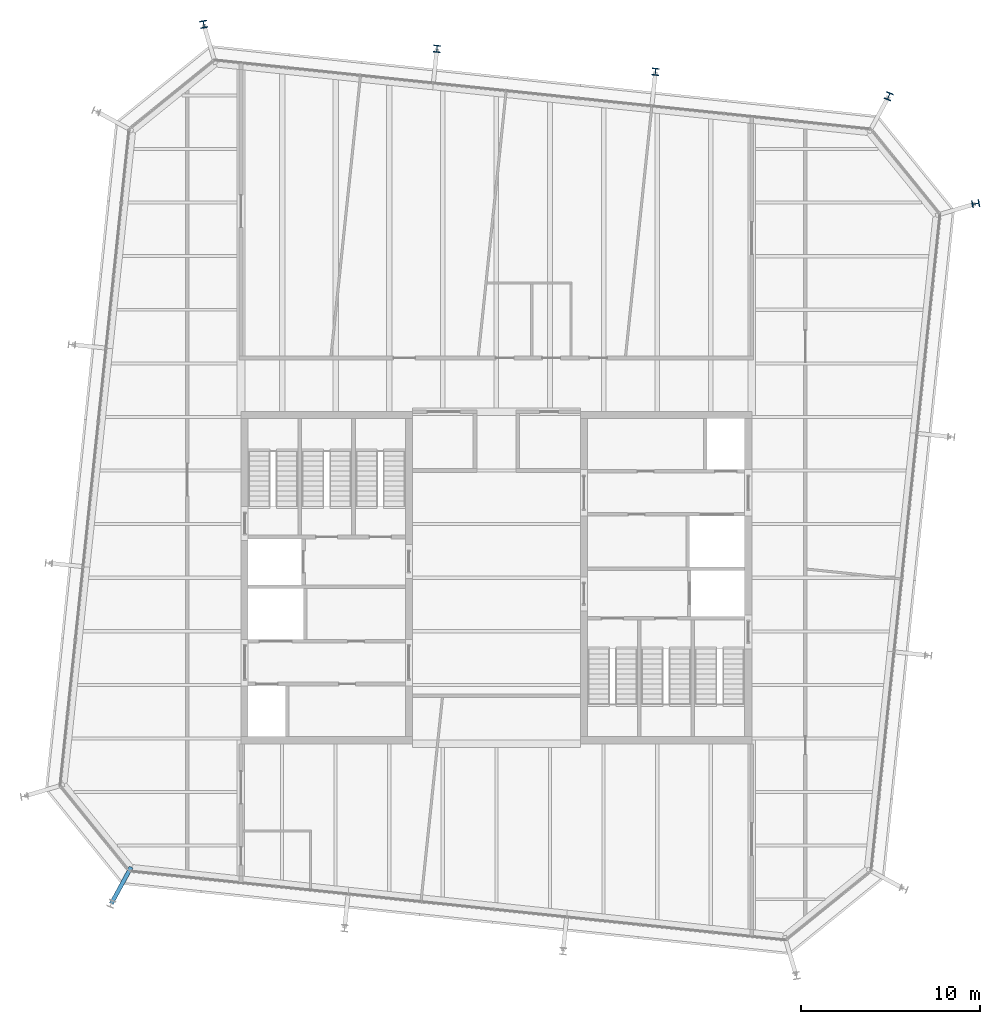
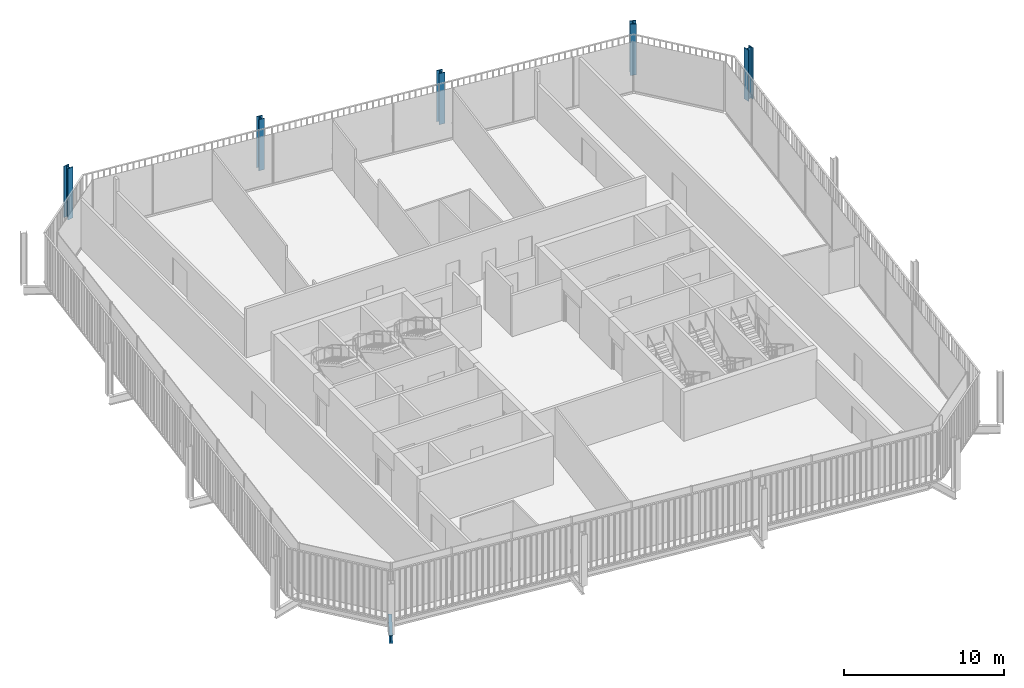
# One storey, part 2 of 20: 5 columns, 1 beam.
"""IFC4 building model written with IfcOpenShell, lengths in metres."""

from ifc_helpers import new_model, si_unit, direction, frame, origin, origin_2d, place, context, subcontext, project, spatial, i_section, extrude, material, material_profile, profile_set, type_object, element, save


model = new_model("IFC4")

# Units and contexts
model_context = context("Model", 3, precision=1e-05, world=origin(), true_north=direction((0.0, 1.0)))
body_context = subcontext(model_context, "Body", "Model", "MODEL_VIEW")
ifc_project = project(units=[si_unit("LENGTHUNIT", "METRE"), si_unit("AREAUNIT", "SQUARE_METRE"), si_unit("VOLUMEUNIT", "CUBIC_METRE"), si_unit("PLANEANGLEUNIT", "RADIAN"), si_unit("MASSUNIT", "GRAM", prefix="KILO")], contexts=[model_context])

# Site, building, storey
site_placement = place(None, origin())
site = spatial("IfcSite", under=ifc_project, at=site_placement, CompositionType="ELEMENT")
building_placement = place(site_placement, origin())
building = spatial("IfcBuilding", under=site, at=building_placement, Name="Millrace Tower", CompositionType="ELEMENT")
storey_placement = place(building_placement, frame((0.0, 0.0, 279.89990234375)))
storey = spatial("IfcBuildingStorey", under=building, at=storey_placement, Name="L64", CompositionType="ELEMENT", Elevation=279.89990234375)

# Columns
ifc_material_1 = material(Name="Steel ASTM A913 Grade 65", Category="steel")
ifc_material_profile_1 = material_profile(ifc_material_1, i_section(OverallWidth=0.4013671875, OverallDepth=0.398681640625, WebThickness=0.02490234375, FlangeThickness=0.03955078125, FilletRadius=0.01513671875, at=origin_2d()))
ifc_profile_set_1 = profile_set([ifc_material_profile_1], Name="Steel ASTM A913 Grade 65")
column_type_1 = type_object("IfcColumnType", Name="Exoskeleton column W14x211", PredefinedType="COLUMN", material=ifc_profile_set_1)
for number, where, z_axis, x_axis, name in (
    (1, (8.9033203125, 28.321533203125, 0.0), (0.0, 0.0, 1.0), (-0.994521897246, 0.104528445407, 0.0), "COL-E-L64-X11"),
    (2, (-3.329345703125, 29.607177734375, 0.0), (0.0, 0.0, 1.0), (-0.994521897246, 0.104528445407, 0.0), "COL-E-L64-X12"),
):
    element("IfcColumn", number, at=place(storey_placement, frame(where, z_axis=z_axis, x_axis=x_axis)), inside=storey, type_object=column_type_1, Name=name, PredefinedType="COLUMN", context=body_context, shape_type="SweptSolid", body=[
        extrude(i_section(OverallWidth=0.4013671875, OverallDepth=0.398681640625, WebThickness=0.02490234375, FlangeThickness=0.03955078125, FilletRadius=0.01513671875, at=origin_2d()), origin(), (0.0, 0.0, 1.0), 3.900146484375),
    ])
ifc_material_2 = material(Name="Steel ASTM A913 Grade 65", Category="steel")
ifc_material_profile_2 = material_profile(ifc_material_2, i_section(OverallWidth=0.406494140625, OverallDepth=0.41650390625, WebThickness=0.030029296875, FlangeThickness=0.048095703125, FilletRadius=0.01513671875, at=origin_2d()))
ifc_profile_set_2 = profile_set([ifc_material_profile_2], Name="Steel ASTM A913 Grade 65")
column_type_2 = type_object("IfcColumnType", Name="Exoskeleton column W14x257", PredefinedType="COLUMN", material=ifc_profile_set_2)
for number, where, z_axis, x_axis, name in (
    (3, (26.82958984375, 20.935791015625, 0.0), (0.0, 0.0, 1.0), (-0.18038747256, 0.983595628164, 0.0), "COL-E-L64-X09"),
    (4, (21.9599609375, 26.94921875, 0.0), (0.0, 0.0, 1.0), (-0.92459700658, 0.380946683176, 0.0), "COL-E-L64-X10"),
    (5, (-16.3857421875, 30.9794921875, 0.0), (0.0, 0.0, 1.0), (-0.983595628164, -0.18038747256, 0.0), "COL-E-L64-X13"),
):
    element("IfcColumn", number, at=place(storey_placement, frame(where, z_axis=z_axis, x_axis=x_axis)), inside=storey, type_object=column_type_2, Name=name, PredefinedType="COLUMN", context=body_context, shape_type="SweptSolid", body=[
        extrude(i_section(OverallWidth=0.406494140625, OverallDepth=0.41650390625, WebThickness=0.030029296875, FlangeThickness=0.048095703125, FilletRadius=0.01513671875, at=origin_2d()), origin(), (0.0, 0.0, 1.0), 3.900146484375),
    ])

# Beam
ifc_material_3 = material(Name="Steel ASTM A992 Grade 50", Category="steel")
ifc_material_profile_3 = material_profile(ifc_material_3, i_section(OverallWidth=0.23046875, OverallDepth=0.6171875, WebThickness=0.01318359375, FlangeThickness=0.022216796875, FilletRadius=0.012939453125, at=origin_2d()))
ifc_profile_set_3 = profile_set([ifc_material_profile_3], Name="Steel ASTM A992 Grade 50")
beam_type = type_object("IfcBeamType", Name="Link beam W24x94", PredefinedType="BEAM", material=ifc_profile_set_3)
beam_placement = place(storey_placement, frame((-20.447509765625, -16.20068359375, -0.468505859375), z_axis=(-0.477163510307, -0.87881453358, 0.0), x_axis=(0.87881453358, -0.477163510307, 0.0)))
element("IfcBeam", 6, at=beam_placement, inside=storey, type_object=beam_type, Name="LNK-E-L64-S1-16", PredefinedType="BEAM", context=body_context, shape_type="SweptSolid", body=[
    extrude(i_section(OverallWidth=0.23046875, OverallDepth=0.6171875, WebThickness=0.01318359375, FlangeThickness=0.022216796875, FilletRadius=0.012939453125, at=origin_2d()), origin(), (0.0, 0.0, 1.0), 2.3310546875),
])

save(model, "model.ifc")
